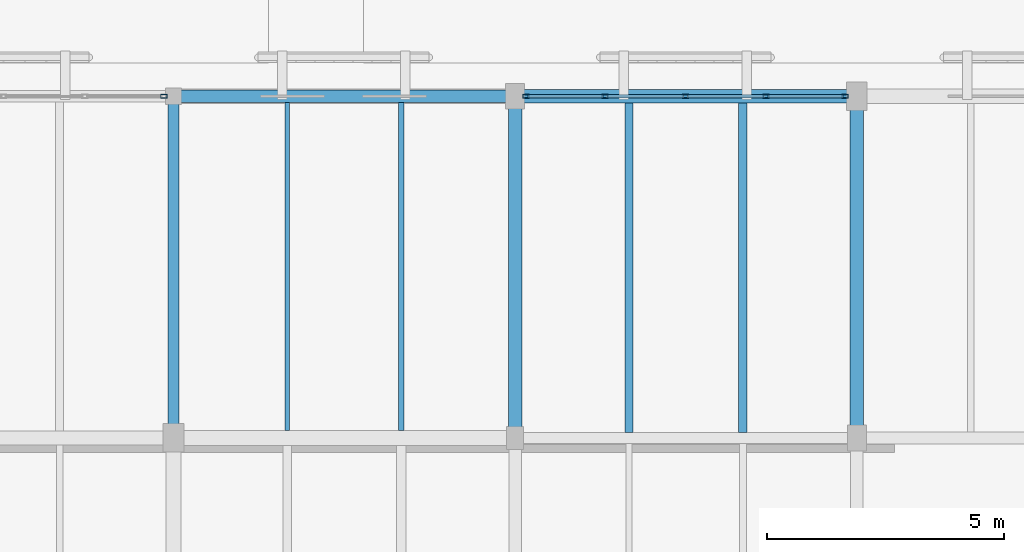
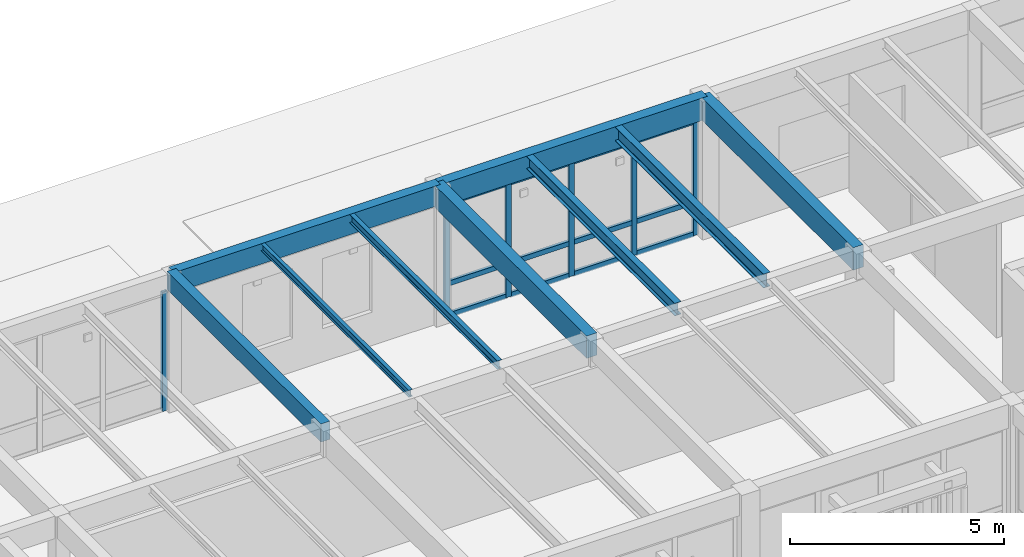
# One storey, part 67 of 112: 18 members, 9 beams, 2 elements without a shape of their own.
"""IFC4 building model written with IfcOpenShell, lengths in metres."""

from ifc_helpers import new_model, si_unit, direction, frame, origin, origin_2d, place, context, subcontext, project, spatial, rectangle, hollow_rectangle, i_section, extrude, material, layer, layer_set, material_profile, profile_set, type_object, element, aggregate, save


model = new_model("IFC4")

# Units and contexts
model_context = context("Model", 3, precision=1e-05, world=origin(), true_north=direction((0.0, 1.0)))
body_context = subcontext(model_context, "Body", "Model", "MODEL_VIEW")
ifc_project = project(units=[si_unit("LENGTHUNIT", "METRE"), si_unit("AREAUNIT", "SQUARE_METRE"), si_unit("VOLUMEUNIT", "CUBIC_METRE"), si_unit("PLANEANGLEUNIT", "RADIAN"), si_unit("MASSUNIT", "GRAM", prefix="KILO")], contexts=[model_context])

# Site, building, storey
site_placement = place(None, origin())
site = spatial("IfcSite", under=ifc_project, at=site_placement, CompositionType="ELEMENT")
building_placement = place(site_placement, origin())
building = spatial("IfcBuilding", under=site, at=building_placement, Name="Mazaris Harbour Polytechnic", CompositionType="ELEMENT")
storey_placement = place(building_placement, frame((0.0, 0.0, 13.800048828125)))
storey = spatial("IfcBuildingStorey", under=building, at=storey_placement, Name="L03", CompositionType="ELEMENT", Elevation=13.800048828125)

# Curtain wall, member
ifc_material_1 = material(Name="Anodised Bronze Aluminium and Low-E Glass", Category="aluminium")
ifc_layer = layer(ifc_material_1, 0.169921875, Name="Anodised Bronze Aluminium and Low-E Glass")
ifc_layer_set = layer_set([ifc_layer], Name="Anodised Bronze Aluminium and Low-E Glass")
curtain_wall_type = type_object("IfcCurtainWallType", Name="Studio North-Light Curtain Wall", PredefinedType="NOTDEFINED", material=ifc_layer_set)
curtain_wall_1_placement = place(storey_placement, origin())
curtain_wall_1 = element("IfcCurtainWall", 1, at=curtain_wall_1_placement, inside=storey, type_object=curtain_wall_type, Name="V5 L03 Curtain Wall 250", PredefinedType="NOTDEFINED")
ifc_material_2 = material(Name="Anodised Bronze Steel S355", Category="steel")
ifc_material_profile_1 = material_profile(ifc_material_2, hollow_rectangle(XDim=0.080078125, YDim=0.139892578125, WallThickness=0.00634765625, at=origin_2d()), Name="RHS 80x140x6.3")
ifc_profile_set_1 = profile_set([ifc_material_profile_1], Name="Anodised Bronze Steel S355")
member_type_1 = type_object("IfcMemberType", Name="Curtain Mullion RHS80x140", PredefinedType="MULLION", material=ifc_profile_set_1)
member_1_placement = place(storey_placement, frame((143.798095703125, 100.800048828125, 0.0), z_axis=(0.0, 0.0, 1.0), x_axis=(0.0, 1.0, 0.0)))
member_1 = element("IfcMember", 2, at=member_1_placement, type_object=member_type_1, Name="CW-03 mullion 5", PredefinedType="MULLION", context=body_context, shape_type="SweptSolid", body=[
    extrude(hollow_rectangle(XDim=0.080078125, YDim=0.139892578125, WallThickness=0.00634765625, at=origin_2d()), origin(), (0.0, 0.0, 1.0), 3.405029296875),
])
aggregate(curtain_wall_1, [member_1])

# Curtain wall, members
curtain_wall_2_placement = place(storey_placement, origin())
curtain_wall_2 = element("IfcCurtainWall", 3, at=curtain_wall_2_placement, inside=storey, type_object=curtain_wall_type, Name="V5 L03 Curtain Wall 251", PredefinedType="NOTDEFINED")
member_2_placement = place(storey_placement, frame((151.431884765625, 100.800048828125, 0.0), z_axis=(0.0, 0.0, 1.0), x_axis=(0.0, 1.0, 0.0)))
member_2 = element("IfcMember", 4, at=member_2_placement, type_object=member_type_1, Name="CW-03 mullion 1", PredefinedType="MULLION", context=body_context, shape_type="SweptSolid", body=[
    extrude(hollow_rectangle(XDim=0.080078125, YDim=0.139892578125, WallThickness=0.00634765625, at=origin_2d()), origin(), (0.0, 0.0, 1.0), 3.284912109375),
])
member_3_placement = place(storey_placement, frame((153.091064453125, 100.800048828125, 0.0), z_axis=(0.0, 0.0, 1.0), x_axis=(0.0, 1.0, 0.0)))
member_3 = element("IfcMember", 5, at=member_3_placement, type_object=member_type_1, Name="CW-03 mullion 2", PredefinedType="MULLION", context=body_context, shape_type="SweptSolid", body=[
    extrude(hollow_rectangle(XDim=0.080078125, YDim=0.139892578125, WallThickness=0.00634765625, at=origin_2d()), origin(), (0.0, 0.0, 1.0), 3.284912109375),
])
member_4_placement = place(storey_placement, frame((154.7900390625, 100.800048828125, 0.0), z_axis=(0.0, 0.0, 1.0), x_axis=(0.0, 1.0, 0.0)))
member_4 = element("IfcMember", 6, at=member_4_placement, type_object=member_type_1, Name="CW-03 mullion 3", PredefinedType="MULLION", context=body_context, shape_type="SweptSolid", body=[
    extrude(hollow_rectangle(XDim=0.080078125, YDim=0.139892578125, WallThickness=0.00634765625, at=origin_2d()), origin(), (0.0, 0.0, 1.0), 3.284912109375),
])
member_5_placement = place(storey_placement, frame((156.489013671875, 100.800048828125, 0.0), z_axis=(0.0, 0.0, 1.0), x_axis=(0.0, 1.0, 0.0)))
member_5 = element("IfcMember", 7, at=member_5_placement, type_object=member_type_1, Name="CW-03 mullion 4", PredefinedType="MULLION", context=body_context, shape_type="SweptSolid", body=[
    extrude(hollow_rectangle(XDim=0.080078125, YDim=0.139892578125, WallThickness=0.00634765625, at=origin_2d()), origin(), (0.0, 0.0, 1.0), 3.284912109375),
])
member_6_placement = place(storey_placement, frame((158.14794921875, 100.800048828125, 0.0), z_axis=(0.0, 0.0, 1.0), x_axis=(0.0, 1.0, 0.0)))
member_6 = element("IfcMember", 8, at=member_6_placement, type_object=member_type_1, Name="CW-03 mullion 5", PredefinedType="MULLION", context=body_context, shape_type="SweptSolid", body=[
    extrude(hollow_rectangle(XDim=0.080078125, YDim=0.139892578125, WallThickness=0.00634765625, at=origin_2d()), origin(), (0.0, 0.0, 1.0), 3.284912109375),
])
ifc_material_3 = material(Name="Anodised Bronze Steel S355", Category="steel")
ifc_material_profile_2 = material_profile(ifc_material_3, hollow_rectangle(XDim=0.080078125, YDim=0.139892578125, WallThickness=0.00634765625, at=origin_2d()), Name="RHS 80x140x6.3")
ifc_profile_set_2 = profile_set([ifc_material_profile_2], Name="Anodised Bronze Steel S355")
member_type_2 = type_object("IfcMemberType", Name="Curtain Transom RHS80x140", PredefinedType="USERDEFINED", material=ifc_profile_set_2)
member_7_placement = place(storey_placement, frame((151.471923828125, 100.800048828125, 0.0400390625), z_axis=(1.0, 0.0, 0.0), x_axis=(0.0, 1.0, 0.0)))
member_7 = element("IfcMember", 9, at=member_7_placement, type_object=member_type_2, Name="CW-03 transom 1.1", ObjectType="TRANSOM", PredefinedType="USERDEFINED", context=body_context, shape_type="SweptSolid", body=[
    extrude(hollow_rectangle(XDim=0.080078125, YDim=0.139892578125, WallThickness=0.00634765625, at=origin_2d()), origin(), (0.0, 0.0, 1.0), 1.5791015625),
])
member_8_placement = place(storey_placement, frame((151.471923828125, 100.800048828125, 0.949951171875), z_axis=(1.0, 0.0, 0.0), x_axis=(0.0, 1.0, 0.0)))
member_8 = element("IfcMember", 10, at=member_8_placement, type_object=member_type_2, Name="CW-03 transom 1.2", ObjectType="TRANSOM", PredefinedType="USERDEFINED", context=body_context, shape_type="SweptSolid", body=[
    extrude(hollow_rectangle(XDim=0.080078125, YDim=0.139892578125, WallThickness=0.00634765625, at=origin_2d()), origin(), (0.0, 0.0, 1.0), 1.5791015625),
])
member_9_placement = place(storey_placement, frame((151.471923828125, 100.800048828125, 3.244873046875), z_axis=(1.0, 0.0, 0.0), x_axis=(0.0, 1.0, 0.0)))
member_9 = element("IfcMember", 11, at=member_9_placement, type_object=member_type_2, Name="CW-03 transom 1.3", ObjectType="TRANSOM", PredefinedType="USERDEFINED", context=body_context, shape_type="SweptSolid", body=[
    extrude(hollow_rectangle(XDim=0.080078125, YDim=0.139892578125, WallThickness=0.00634765625, at=origin_2d()), origin(), (0.0, 0.0, 1.0), 1.5791015625),
])
member_10_placement = place(storey_placement, frame((153.131103515625, 100.800048828125, 0.0400390625), z_axis=(1.0, 0.0, 0.0), x_axis=(0.0, 1.0, 0.0)))
member_10 = element("IfcMember", 12, at=member_10_placement, type_object=member_type_2, Name="CW-03 transom 2.1", ObjectType="TRANSOM", PredefinedType="USERDEFINED", context=body_context, shape_type="SweptSolid", body=[
    extrude(hollow_rectangle(XDim=0.080078125, YDim=0.139892578125, WallThickness=0.00634765625, at=origin_2d()), origin(), (0.0, 0.0, 1.0), 1.618896484375),
])
member_11_placement = place(storey_placement, frame((153.131103515625, 100.800048828125, 0.949951171875), z_axis=(1.0, 0.0, 0.0), x_axis=(0.0, 1.0, 0.0)))
member_11 = element("IfcMember", 13, at=member_11_placement, type_object=member_type_2, Name="CW-03 transom 2.2", ObjectType="TRANSOM", PredefinedType="USERDEFINED", context=body_context, shape_type="SweptSolid", body=[
    extrude(hollow_rectangle(XDim=0.080078125, YDim=0.139892578125, WallThickness=0.00634765625, at=origin_2d()), origin(), (0.0, 0.0, 1.0), 1.618896484375),
])
member_12_placement = place(storey_placement, frame((153.131103515625, 100.800048828125, 3.244873046875), z_axis=(1.0, 0.0, 0.0), x_axis=(0.0, 1.0, 0.0)))
member_12 = element("IfcMember", 14, at=member_12_placement, type_object=member_type_2, Name="CW-03 transom 2.3", ObjectType="TRANSOM", PredefinedType="USERDEFINED", context=body_context, shape_type="SweptSolid", body=[
    extrude(hollow_rectangle(XDim=0.080078125, YDim=0.139892578125, WallThickness=0.00634765625, at=origin_2d()), origin(), (0.0, 0.0, 1.0), 1.618896484375),
])
member_13_placement = place(storey_placement, frame((154.830078125, 100.800048828125, 0.0400390625), z_axis=(1.0, 0.0, 0.0), x_axis=(0.0, 1.0, 0.0)))
member_13 = element("IfcMember", 15, at=member_13_placement, type_object=member_type_2, Name="CW-03 transom 3.1", ObjectType="TRANSOM", PredefinedType="USERDEFINED", context=body_context, shape_type="SweptSolid", body=[
    extrude(hollow_rectangle(XDim=0.080078125, YDim=0.139892578125, WallThickness=0.00634765625, at=origin_2d()), origin(), (0.0, 0.0, 1.0), 1.618896484375),
])
member_14_placement = place(storey_placement, frame((154.830078125, 100.800048828125, 0.949951171875), z_axis=(1.0, 0.0, 0.0), x_axis=(0.0, 1.0, 0.0)))
member_14 = element("IfcMember", 16, at=member_14_placement, type_object=member_type_2, Name="CW-03 transom 3.2", ObjectType="TRANSOM", PredefinedType="USERDEFINED", context=body_context, shape_type="SweptSolid", body=[
    extrude(hollow_rectangle(XDim=0.080078125, YDim=0.139892578125, WallThickness=0.00634765625, at=origin_2d()), origin(), (0.0, 0.0, 1.0), 1.618896484375),
])
member_15_placement = place(storey_placement, frame((154.830078125, 100.800048828125, 3.244873046875), z_axis=(1.0, 0.0, 0.0), x_axis=(0.0, 1.0, 0.0)))
member_15 = element("IfcMember", 17, at=member_15_placement, type_object=member_type_2, Name="CW-03 transom 3.3", ObjectType="TRANSOM", PredefinedType="USERDEFINED", context=body_context, shape_type="SweptSolid", body=[
    extrude(hollow_rectangle(XDim=0.080078125, YDim=0.139892578125, WallThickness=0.00634765625, at=origin_2d()), origin(), (0.0, 0.0, 1.0), 1.618896484375),
])
member_16_placement = place(storey_placement, frame((156.529052734375, 100.800048828125, 0.0400390625), z_axis=(1.0, 0.0, 0.0), x_axis=(0.0, 1.0, 0.0)))
member_16 = element("IfcMember", 18, at=member_16_placement, type_object=member_type_2, Name="CW-03 transom 4.1", ObjectType="TRANSOM", PredefinedType="USERDEFINED", context=body_context, shape_type="SweptSolid", body=[
    extrude(hollow_rectangle(XDim=0.080078125, YDim=0.139892578125, WallThickness=0.00634765625, at=origin_2d()), origin(), (0.0, 0.0, 1.0), 1.578857421875),
])
member_17_placement = place(storey_placement, frame((156.529052734375, 100.800048828125, 0.949951171875), z_axis=(1.0, 0.0, 0.0), x_axis=(0.0, 1.0, 0.0)))
member_17 = element("IfcMember", 19, at=member_17_placement, type_object=member_type_2, Name="CW-03 transom 4.2", ObjectType="TRANSOM", PredefinedType="USERDEFINED", context=body_context, shape_type="SweptSolid", body=[
    extrude(hollow_rectangle(XDim=0.080078125, YDim=0.139892578125, WallThickness=0.00634765625, at=origin_2d()), origin(), (0.0, 0.0, 1.0), 1.578857421875),
])
member_18_placement = place(storey_placement, frame((156.529052734375, 100.800048828125, 3.244873046875), z_axis=(1.0, 0.0, 0.0), x_axis=(0.0, 1.0, 0.0)))
member_18 = element("IfcMember", 20, at=member_18_placement, type_object=member_type_2, Name="CW-03 transom 4.3", ObjectType="TRANSOM", PredefinedType="USERDEFINED", context=body_context, shape_type="SweptSolid", body=[
    extrude(hollow_rectangle(XDim=0.080078125, YDim=0.139892578125, WallThickness=0.00634765625, at=origin_2d()), origin(), (0.0, 0.0, 1.0), 1.578857421875),
])
aggregate(curtain_wall_2, [member_2, member_3, member_4, member_5, member_6, member_7, member_8, member_9, member_10, member_11, member_12, member_13, member_14, member_15, member_16, member_17, member_18])

# Beams
ifc_material_4 = material(Name="Glulam GL32h", Category="wood")
ifc_material_profile_3 = material_profile(ifc_material_4, rectangle(XDim=0.239990234375, YDim=0.52001953125, at=origin_2d()), Name="RECT240x520")
ifc_profile_set_3 = profile_set([ifc_material_profile_3], Name="Glulam GL32h")
beam_type_1 = type_object("IfcBeamType", Name="Glulam Girder 240x520", PredefinedType="BEAM", material=ifc_profile_set_3)
beam_1_placement = place(storey_placement, frame((144.0, 93.60009765625, 3.675048828125), z_axis=(0.0, 1.0, 0.0), x_axis=(-1.0, 0.0, 0.0)))
element("IfcBeam", 21, at=beam_1_placement, inside=storey, type_object=beam_type_1, Name="V5 L03 Tie Girder 3345", PredefinedType="BEAM", context=body_context, shape_type="SweptSolid", body=[
    extrude(rectangle(XDim=0.239990234375, YDim=0.52001953125, at=origin_2d()), origin(), (0.0, 0.0, 1.0), 7.199951171875),
])
ifc_material_5 = material(Name="Glulam GL32h", Category="wood")
ifc_material_profile_4 = material_profile(ifc_material_5, rectangle(XDim=0.260009765625, YDim=0.580078125, at=origin_2d()), Name="RECT260x580")
ifc_profile_set_4 = profile_set([ifc_material_profile_4], Name="Glulam GL32h")
beam_type_2 = type_object("IfcBeamType", Name="Glulam Girder 260x580 Exterior", PredefinedType="BEAM", material=ifc_profile_set_4)
beam_2_placement = place(storey_placement, frame((144.0, 100.800048828125, 3.64501953125), z_axis=(1.0, 0.0, 0.0), x_axis=(0.0, 1.0, 0.0)))
element("IfcBeam", 22, at=beam_2_placement, inside=storey, type_object=beam_type_2, Name="V5 L03 Girder 3326", PredefinedType="BEAM", context=body_context, shape_type="SweptSolid", body=[
    extrude(rectangle(XDim=0.260009765625, YDim=0.580078125, at=origin_2d()), origin(), (0.0, 0.0, 1.0), 7.199951171875),
])
ifc_material_6 = material(Name="Glulam GL32h", Category="wood")
ifc_material_profile_5 = material_profile(ifc_material_6, rectangle(XDim=0.280029296875, YDim=0.639892578125, at=origin_2d()), Name="RECT280x640")
ifc_profile_set_5 = profile_set([ifc_material_profile_5], Name="Glulam GL32h")
beam_type_3 = type_object("IfcBeamType", Name="Glulam Girder 280x640", PredefinedType="BEAM", material=ifc_profile_set_5)
for number, where, z_axis, x_axis, name in (
    (23, (151.199951171875, 93.60009765625, 3.614990234375), (0.0, 1.0, 0.0), (-1.0, 0.0, 0.0), "V5 L03 Tie Girder 3347"),
    (24, (158.39990234375, 93.60009765625, 3.614990234375), (0.0, 1.0, 0.0), (-1.0, 0.0, 0.0), "V5 L03 Tie Girder 3352"),
):
    element("IfcBeam", number, at=place(storey_placement, frame(where, z_axis=z_axis, x_axis=x_axis)), inside=storey, type_object=beam_type_3, Name=name, PredefinedType="BEAM", context=body_context, shape_type="SweptSolid", body=[
        extrude(rectangle(XDim=0.280029296875, YDim=0.639892578125, at=origin_2d()), origin(), (0.0, 0.0, 1.0), 7.199951171875),
    ])
ifc_material_7 = material(Name="Glulam GL32h", Category="wood")
ifc_material_profile_6 = material_profile(ifc_material_7, rectangle(XDim=0.280029296875, YDim=0.639892578125, at=origin_2d()), Name="RECT280x640")
ifc_profile_set_6 = profile_set([ifc_material_profile_6], Name="Glulam GL32h")
beam_type_4 = type_object("IfcBeamType", Name="Glulam Girder 280x640 Exterior", PredefinedType="BEAM", material=ifc_profile_set_6)
beam_3_placement = place(storey_placement, frame((151.199951171875, 100.800048828125, 3.614990234375), z_axis=(1.0, 0.0, 0.0), x_axis=(0.0, 1.0, 0.0)))
element("IfcBeam", 25, at=beam_3_placement, inside=storey, type_object=beam_type_4, Name="V5 L03 Girder 3327", PredefinedType="BEAM", context=body_context, shape_type="SweptSolid", body=[
    extrude(rectangle(XDim=0.280029296875, YDim=0.639892578125, at=origin_2d()), origin(), (0.0, 0.0, 1.0), 7.199951171875),
])
ifc_material_8 = material(Name="Steel S355", Category="steel")
ifc_material_profile_7 = material_profile(ifc_material_8, i_section(OverallWidth=0.10009765625, OverallDepth=0.199951171875, WebThickness=0.005615234375, FlangeThickness=0.008544921875, FilletRadius=0.011962890625, at=origin_2d()), Name="IPE 200")
ifc_profile_set_7 = profile_set([ifc_material_profile_7], Name="Steel S355")
beam_type_5 = type_object("IfcBeamType", Name="Steel Joist IPE200", PredefinedType="JOIST", material=ifc_profile_set_7)
beam_4_placement = place(storey_placement, frame((146.39990234375, 93.760009765625, 3.8349609375), z_axis=(0.0, 1.0, 0.0), x_axis=(-1.0, 0.0, 0.0)))
element("IfcBeam", 26, at=beam_4_placement, inside=storey, type_object=beam_type_5, Name="V5 L03 Floor Joist 3381", PredefinedType="JOIST", context=body_context, shape_type="SweptSolid", body=[
    extrude(i_section(OverallWidth=0.10009765625, OverallDepth=0.199951171875, WebThickness=0.005615234375, FlangeThickness=0.008544921875, FilletRadius=0.011962890625, at=origin_2d()), origin(), (0.0, 0.0, 1.0), 6.909912109375),
])
ifc_material_9 = material(Name="Steel S355", Category="steel")
ifc_material_profile_8 = material_profile(ifc_material_9, i_section(OverallWidth=0.1201171875, OverallDepth=0.239990234375, WebThickness=0.006103515625, FlangeThickness=0.009765625, FilletRadius=0.014892578125, at=origin_2d()), Name="IPE 240")
ifc_profile_set_8 = profile_set([ifc_material_profile_8], Name="Steel S355")
beam_type_6 = type_object("IfcBeamType", Name="Steel Joist IPE240", PredefinedType="JOIST", material=ifc_profile_set_8)
beam_5_placement = place(storey_placement, frame((148.800048828125, 93.760009765625, 3.81494140625), z_axis=(0.0, 1.0, 0.0), x_axis=(-1.0, 0.0, 0.0)))
element("IfcBeam", 27, at=beam_5_placement, inside=storey, type_object=beam_type_6, Name="V5 L03 Floor Joist 3382", PredefinedType="JOIST", context=body_context, shape_type="SweptSolid", body=[
    extrude(i_section(OverallWidth=0.1201171875, OverallDepth=0.239990234375, WebThickness=0.006103515625, FlangeThickness=0.009765625, FilletRadius=0.014892578125, at=origin_2d()), origin(), (0.0, 0.0, 1.0), 6.909912109375),
])
ifc_material_10 = material(Name="Steel S355", Category="steel")
ifc_material_profile_9 = material_profile(ifc_material_10, i_section(OverallWidth=0.169921875, OverallDepth=0.360107421875, WebThickness=0.008056640625, FlangeThickness=0.0126953125, FilletRadius=0.01806640625, at=origin_2d()), Name="IPE 360")
ifc_profile_set_9 = profile_set([ifc_material_profile_9], Name="Steel S355")
beam_type_7 = type_object("IfcBeamType", Name="Steel Joist IPE360", PredefinedType="JOIST", material=ifc_profile_set_9)
beam_6_placement = place(storey_placement, frame((153.60009765625, 93.719970703125, 3.7548828125), z_axis=(0.0, 1.0, 0.0), x_axis=(-1.0, 0.0, 0.0)))
element("IfcBeam", 28, at=beam_6_placement, inside=storey, type_object=beam_type_7, Name="V5 L03 Floor Joist 3385", PredefinedType="JOIST", context=body_context, shape_type="SweptSolid", body=[
    extrude(i_section(OverallWidth=0.169921875, OverallDepth=0.360107421875, WebThickness=0.008056640625, FlangeThickness=0.0126953125, FilletRadius=0.01806640625, at=origin_2d()), origin(), (0.0, 0.0, 1.0), 6.93994140625),
])
ifc_material_11 = material(Name="Steel S355", Category="steel")
ifc_material_profile_10 = material_profile(ifc_material_11, i_section(OverallWidth=0.179931640625, OverallDepth=0.39990234375, WebThickness=0.008544921875, FlangeThickness=0.013427734375, FilletRadius=0.02099609375, at=origin_2d()), Name="IPE 400")
ifc_profile_set_10 = profile_set([ifc_material_profile_10], Name="Steel S355")
beam_type_8 = type_object("IfcBeamType", Name="Steel Joist IPE400", PredefinedType="JOIST", material=ifc_profile_set_10)
beam_7_placement = place(storey_placement, frame((156.0, 93.719970703125, 3.73486328125), z_axis=(0.0, 1.0, 0.0), x_axis=(-1.0, 0.0, 0.0)))
element("IfcBeam", 29, at=beam_7_placement, inside=storey, type_object=beam_type_8, Name="V5 L03 Floor Joist 3386", PredefinedType="JOIST", context=body_context, shape_type="SweptSolid", body=[
    extrude(i_section(OverallWidth=0.179931640625, OverallDepth=0.39990234375, WebThickness=0.008544921875, FlangeThickness=0.013427734375, FilletRadius=0.02099609375, at=origin_2d()), origin(), (0.0, 0.0, 1.0), 6.93994140625),
])

save(model, "model.ifc")
